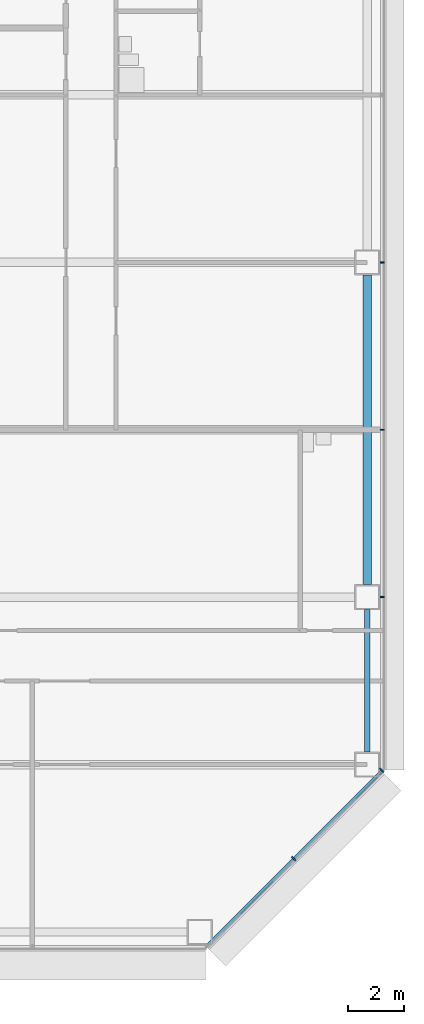
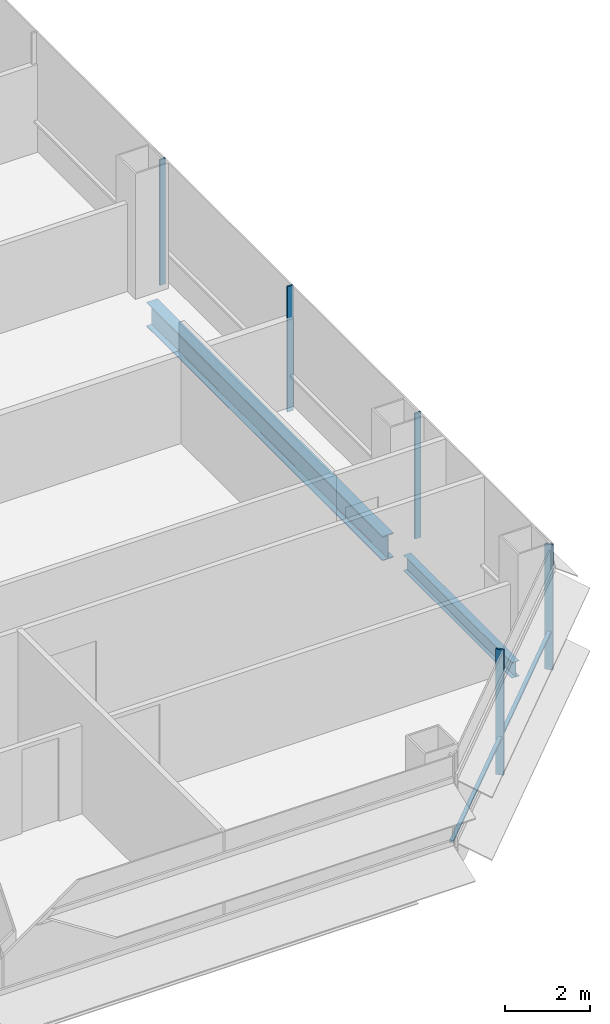
# One storey, part 16 of 27: 6 members, 2 beams, 2 elements without a shape of their own.
"""IFC4 building model written with IfcOpenShell, lengths in metres."""

from ifc_helpers import new_model, si_unit, direction, frame, origin, origin_2d, place, context, subcontext, project, spatial, rectangle, i_section, extrude, material, material_profile, profile_set, type_object, element, aggregate, save


model = new_model("IFC4")

# Units and contexts
model_context = context("Model", 3, precision=1e-05, world=origin(), true_north=direction((0.0, 1.0)))
body_context = subcontext(model_context, "Body", "Model", "MODEL_VIEW")
ifc_project = project(units=[si_unit("LENGTHUNIT", "METRE"), si_unit("AREAUNIT", "SQUARE_METRE"), si_unit("VOLUMEUNIT", "CUBIC_METRE"), si_unit("PLANEANGLEUNIT", "RADIAN"), si_unit("MASSUNIT", "GRAM", prefix="KILO")], contexts=[model_context])

# Site, building, storey
site_placement = place(None, origin())
site = spatial("IfcSite", under=ifc_project, at=site_placement, CompositionType="ELEMENT")
building_placement = place(site_placement, origin())
building = spatial("IfcBuilding", under=site, at=building_placement, Name="Sorahane Residences", CompositionType="ELEMENT")
storey_placement = place(building_placement, frame((0.0, 0.0, 75.0)))
storey = spatial("IfcBuildingStorey", under=building, at=storey_placement, Name="L15", CompositionType="ELEMENT", Elevation=75.0)

# Curtain wall, members
ifc_material_1 = material(Name="Dark low-e glass and black anodised aluminium", Category="aluminium")
curtain_wall_type_1 = type_object("IfcCurtainWallType", Name="Curtain wall CW-1 Typical unitised wall", PredefinedType="NOTDEFINED", material=ifc_material_1)
curtain_wall_1_placement = place(storey_placement, origin())
curtain_wall_1 = element("IfcCurtainWall", 1, at=curtain_wall_1_placement, inside=storey, type_object=curtain_wall_type_1, Name="CW-1 curtain wall L15 E1", PredefinedType="NOTDEFINED")
ifc_material_2 = material(Name="Black anodised aluminium", Category="aluminium")
ifc_material_profile_1 = material_profile(ifc_material_2, rectangle(XDim=0.159912109375, YDim=0.050048828125, at=origin_2d()), Name="Curtain wall mullion CW-1 black anodised aluminium 50x160")
ifc_profile_set_1 = profile_set([ifc_material_profile_1], Name="Black anodised aluminium")
member_type_1 = type_object("IfcMemberType", Name="Curtain wall mullion CW-1 black anodised aluminium 50x160", PredefinedType="MULLION", material=ifc_profile_set_1)
member_1_placement = place(storey_placement, frame((66.5400390625, 12.0, -0.179931640625), z_axis=(0.0, 0.0, 1.0), x_axis=(1.0, 0.0, 0.0)))
member_1 = element("IfcMember", 2, at=member_1_placement, type_object=member_type_1, Name="CW-1 mullion L15 E1.2", PredefinedType="MULLION", context=body_context, shape_type="SweptSolid", body=[
    extrude(rectangle(XDim=0.159912109375, YDim=0.050048828125, at=origin_2d()), origin(), (0.0, 0.0, 1.0), 3.599853515625),
])
member_2_placement = place(storey_placement, frame((66.5400390625, 18.0, -0.179931640625), z_axis=(0.0, 0.0, 1.0), x_axis=(1.0, 0.0, 0.0)))
member_2 = element("IfcMember", 3, at=member_2_placement, type_object=member_type_1, Name="CW-1 mullion L15 E1.3", PredefinedType="MULLION", context=body_context, shape_type="SweptSolid", body=[
    extrude(rectangle(XDim=0.159912109375, YDim=0.050048828125, at=origin_2d()), origin(), (0.0, 0.0, 1.0), 3.599853515625),
])
member_3_placement = place(storey_placement, frame((66.5400390625, 24.0, -0.179931640625), z_axis=(0.0, 0.0, 1.0), x_axis=(1.0, 0.0, 0.0)))
member_3 = element("IfcMember", 4, at=member_3_placement, type_object=member_type_1, Name="CW-1 mullion L15 E1.4", PredefinedType="MULLION", context=body_context, shape_type="SweptSolid", body=[
    extrude(rectangle(XDim=0.159912109375, YDim=0.050048828125, at=origin_2d()), origin(), (0.0, 0.0, 1.0), 3.599853515625),
])
aggregate(curtain_wall_1, [member_1, member_2, member_3])

ifc_material_3 = material(Name="Dark low-e glass and black anodised aluminium", Category="aluminium")
curtain_wall_type_2 = type_object("IfcCurtainWallType", Name="Curtain wall CW-2 Chamfer unitised wall", PredefinedType="NOTDEFINED", material=ifc_material_3)
curtain_wall_2_placement = place(storey_placement, origin())
curtain_wall_2 = element("IfcCurtainWall", 5, at=curtain_wall_2_placement, inside=storey, type_object=curtain_wall_type_2, Name="CW-2 curtain wall L15 SE1", PredefinedType="NOTDEFINED")
ifc_material_4 = material(Name="Black anodised aluminium", Category="aluminium")
ifc_material_profile_2 = material_profile(ifc_material_4, rectangle(XDim=0.199951171875, YDim=0.050048828125, at=origin_2d()), Name="Curtain wall mullion CW-2 black anodised aluminium 50x200")
ifc_profile_set_2 = profile_set([ifc_material_profile_2], Name="Black anodised aluminium")
member_type_2 = type_object("IfcMemberType", Name="Curtain wall mullion CW-2 black anodised aluminium 50x200", PredefinedType="MULLION", material=ifc_profile_set_2)
member_4_placement = place(storey_placement, frame((63.36767578125, 2.63232421875, -0.179931640625), z_axis=(0.0, 0.0, 1.0), x_axis=(0.707106781187, -0.707106781187, 0.0)))
member_4 = element("IfcMember", 6, at=member_4_placement, type_object=member_type_2, Name="CW-2 mullion L15 SE1.2", PredefinedType="MULLION", context=body_context, shape_type="SweptSolid", body=[
    extrude(rectangle(XDim=0.199951171875, YDim=0.050048828125, at=origin_2d()), origin(), (0.0, 0.0, 1.0), 3.599853515625),
])
member_5_placement = place(storey_placement, frame((66.525634765625, 5.790283203125, -0.179931640625), z_axis=(0.0, 0.0, 1.0), x_axis=(0.707106781187, -0.707106781187, 0.0)))
member_5 = element("IfcMember", 7, at=member_5_placement, type_object=member_type_2, Name="CW-2 mullion L15 SE1.3", PredefinedType="MULLION", context=body_context, shape_type="SweptSolid", body=[
    extrude(rectangle(XDim=0.199951171875, YDim=0.050048828125, at=origin_2d()), origin(), (0.0, 0.0, 1.0), 3.599853515625),
])
ifc_material_5 = material(Name="Black anodised aluminium", Category="aluminium")
ifc_material_profile_3 = material_profile(ifc_material_5, rectangle(XDim=0.10009765625, YDim=0.06005859375, at=origin_2d()), Name="Curtain wall transom CW-2 black anodised aluminium 60x100")
ifc_profile_set_3 = profile_set([ifc_material_profile_3], Name="Black anodised aluminium")
member_type_3 = type_object("IfcMemberType", Name="Curtain wall transom CW-2 black anodised aluminium 60x100", PredefinedType="USERDEFINED", material=ifc_profile_set_3)
member_6_placement = place(storey_placement, frame((60.234375, -0.51513671875, 0.89990234375), z_axis=(0.707106781187, 0.707106781187, 0.0), x_axis=(-0.707106781187, 0.707106781187, 0.0)))
member_6 = element("IfcMember", 8, at=member_6_placement, type_object=member_type_3, Name="CW-2 transom L15 SE1", ObjectType="TRANSOM", PredefinedType="USERDEFINED", context=body_context, shape_type="SweptSolid", body=[
    extrude(rectangle(XDim=0.10009765625, YDim=0.06005859375, at=origin_2d()), origin(), (0.0, 0.0, 1.0), 8.88232421875),
])
aggregate(curtain_wall_2, [member_4, member_5, member_6])

# Beams
ifc_material_6 = material(Name="Steel Q355B", Category="steel")
ifc_material_profile_4 = material_profile(ifc_material_6, i_section(OverallWidth=0.199951171875, OverallDepth=0.449951171875, WebThickness=0.009033203125, FlangeThickness=0.013916015625, FilletRadius=0.02001953125, at=origin_2d()), Name="HN 450x200x9x14")
ifc_profile_set_4 = profile_set([ifc_material_profile_4], Name="Steel Q355B")
beam_type_1 = type_object("IfcBeamType", Name="Steel floor beam HN 450x200x9x14 Q355B", PredefinedType="BEAM", material=ifc_profile_set_4)
beam_1_placement = place(storey_placement, frame((66.0, 6.449951171875, -0.405029296875), z_axis=(0.0, 1.0, 0.0), x_axis=(-1.0, 0.0, 0.0)))
element("IfcBeam", 9, at=beam_1_placement, inside=storey, type_object=beam_type_1, Name="Beam L15 057", PredefinedType="BEAM", context=body_context, shape_type="SweptSolid", body=[
    extrude(i_section(OverallWidth=0.199951171875, OverallDepth=0.449951171875, WebThickness=0.009033203125, FlangeThickness=0.013916015625, FilletRadius=0.02001953125, at=origin_2d()), origin(), (0.0, 0.0, 1.0), 5.10009765625),
])
ifc_material_7 = material(Name="Steel Q355B", Category="steel")
ifc_material_profile_5 = material_profile(ifc_material_7, i_section(OverallWidth=0.300048828125, OverallDepth=0.699951171875, WebThickness=0.012939453125, FlangeThickness=0.02392578125, FilletRadius=0.028076171875, at=origin_2d()), Name="HN 700x300x13x24")
ifc_profile_set_5 = profile_set([ifc_material_profile_5], Name="Steel Q355B")
beam_type_2 = type_object("IfcBeamType", Name="Steel floor beam HN 700x300x13x24 Q355B", PredefinedType="BEAM", material=ifc_profile_set_5)
beam_2_placement = place(storey_placement, frame((66.0, 12.449951171875, -0.530029296875), z_axis=(0.0, 1.0, 0.0), x_axis=(-1.0, 0.0, 0.0)))
element("IfcBeam", 10, at=beam_2_placement, inside=storey, type_object=beam_type_2, Name="Beam L15 058", PredefinedType="BEAM", context=body_context, shape_type="SweptSolid", body=[
    extrude(i_section(OverallWidth=0.300048828125, OverallDepth=0.699951171875, WebThickness=0.012939453125, FlangeThickness=0.02392578125, FilletRadius=0.028076171875, at=origin_2d()), origin(), (0.0, 0.0, 1.0), 11.10009765625),
])

save(model, "model.ifc")
